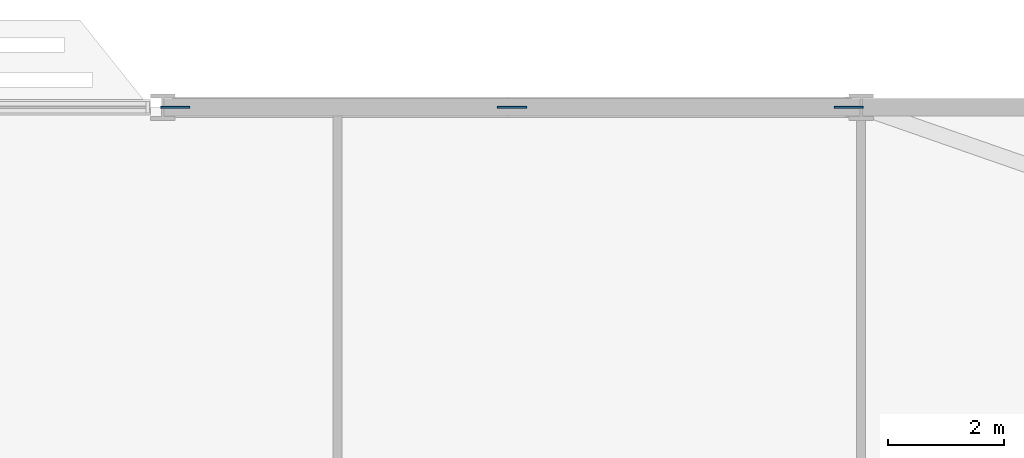
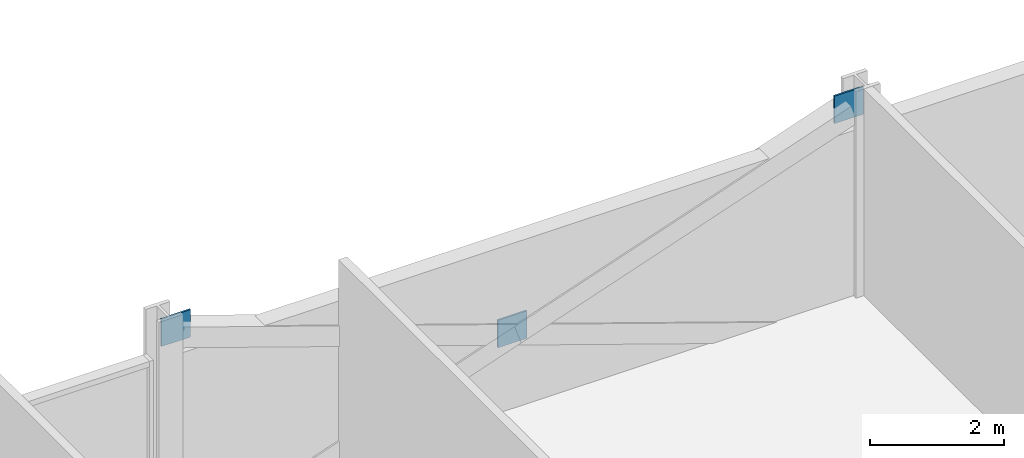
# One storey, part 22 of 29: 3 discrete accessories.
"""IFC4 building model written with IfcOpenShell, lengths in metres."""

from ifc_helpers import new_model, si_unit, direction, frame, origin, origin_2d, place, context, subcontext, project, spatial, rectangle, extrude, material, layer, layer_set, type_object, element, save


model = new_model("IFC4")

# Units and contexts
model_context = context("Model", 3, precision=1e-05, world=origin(), true_north=direction((0.0, 1.0)))
body_context = subcontext(model_context, "Body", "Model", "MODEL_VIEW")
ifc_project = project(units=[si_unit("LENGTHUNIT", "METRE"), si_unit("AREAUNIT", "SQUARE_METRE"), si_unit("VOLUMEUNIT", "CUBIC_METRE"), si_unit("PLANEANGLEUNIT", "RADIAN"), si_unit("MASSUNIT", "GRAM", prefix="KILO")], contexts=[model_context])

# Site, building, storey
site_placement = place(None, origin())
site = spatial("IfcSite", under=ifc_project, at=site_placement, CompositionType="ELEMENT")
building_placement = place(site_placement, origin())
building = spatial("IfcBuilding", under=site, at=building_placement, Name="Mahtab Terrace Research Tower", CompositionType="ELEMENT")
storey_placement = place(building_placement, frame((0.0, 0.0, 105.300048828125)))
storey = spatial("IfcBuildingStorey", under=building, at=storey_placement, Name="L24", CompositionType="ELEMENT", Elevation=105.300048828125)

# Discrete accessories
ifc_material = material(Name="Steel ASTM A992 Gr 50", Category="steel")
ifc_layer = layer(ifc_material, 0.030029296875)
ifc_layer_set = layer_set([ifc_layer], Name="Gusset plate 500x500x30")
discrete_accessory_type = type_object("IfcDiscreteAccessoryType", Name="Gusset plate 500x500x30", PredefinedType="USERDEFINED", material=ifc_layer_set)
for number, where, z_axis, x_axis, name in (
    (1, (30.209716796875, 29.0, 3.131591796875), (0.0, 0.0, 1.0), (1.0, 0.0, 0.0), "Gusset plate"),
    (2, (36.0, 29.0, 1.08154296875), (0.0, 0.0, 1.0), (1.0, 0.0, 0.0), "Gusset plate"),
    (3, (41.790283203125, 29.0, 3.131591796875), (0.0, 0.0, 1.0), (1.0, 0.0, 0.0), "Gusset plate"),
):
    element("IfcDiscreteAccessory", number, at=place(storey_placement, frame(where, z_axis=z_axis, x_axis=x_axis)), inside=storey, type_object=discrete_accessory_type, Name=name, ObjectType="GUSSET PLATE", PredefinedType="USERDEFINED", context=body_context, shape_type="SweptSolid", body=[
        extrude(rectangle(XDim=0.5, YDim=0.030029296875, at=origin_2d()), origin(), (0.0, 0.0, 1.0), 0.5),
    ])

save(model, "model.ifc")
